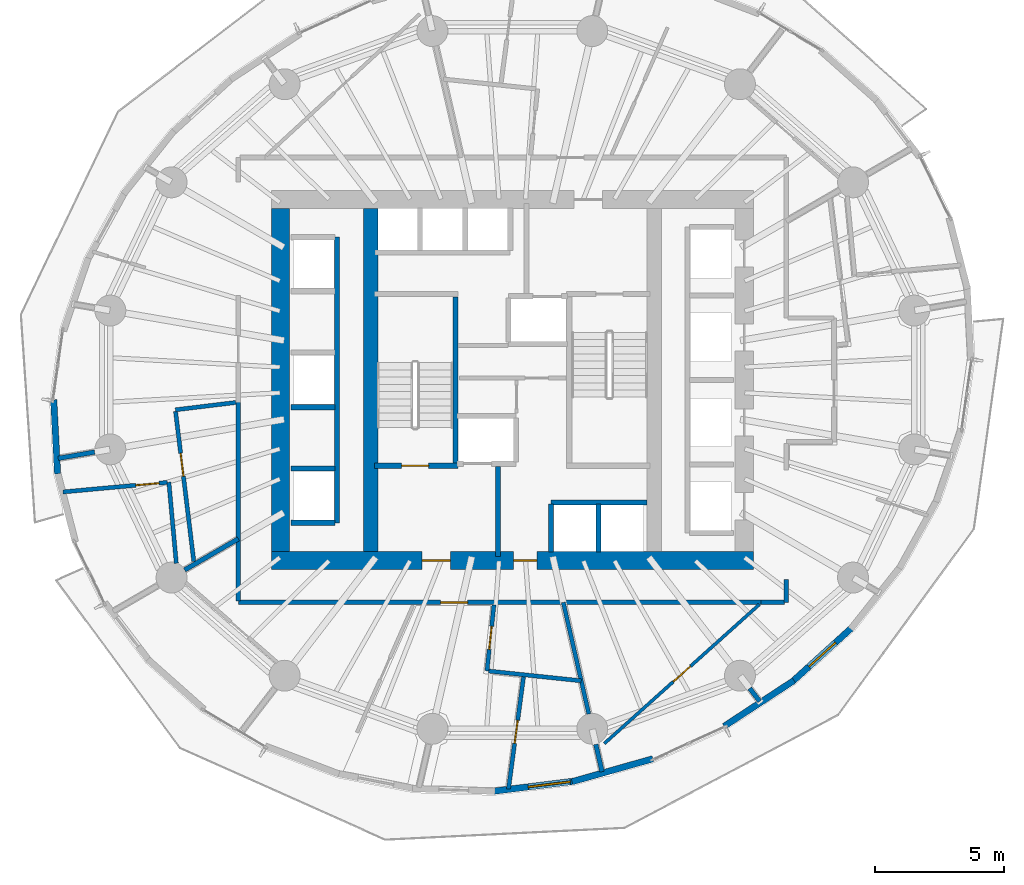
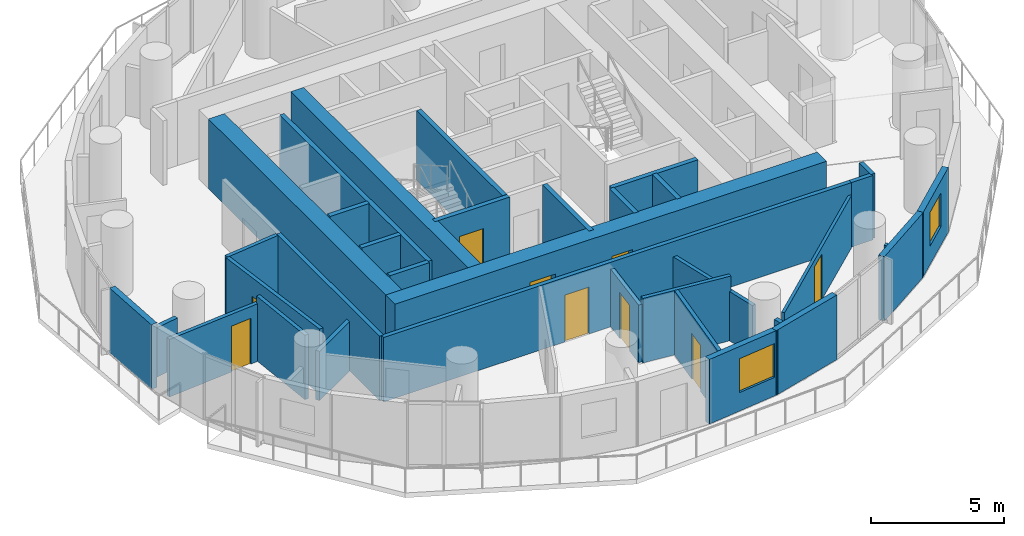
# One storey, part 7 of 14: 35 walls, 9 doors, 2 windows, 11 openings.
"""IFC4 building model written with IfcOpenShell, lengths in metres."""

from ifc_helpers import new_model, si_unit, direction, frame, frame_2d, origin, place, context, subcontext, project, spatial, rectangle, extrude, material, layer, layer_set, type_object, element, fill, save


model = new_model("IFC4")

# Units and contexts
model_context = context("Model", 3, precision=1e-05, world=origin(), true_north=direction((0.0, 1.0)))
body_context = subcontext(model_context, "Body", "Model", "MODEL_VIEW")
ifc_project = project(units=[si_unit("LENGTHUNIT", "METRE"), si_unit("AREAUNIT", "SQUARE_METRE"), si_unit("VOLUMEUNIT", "CUBIC_METRE"), si_unit("PLANEANGLEUNIT", "RADIAN"), si_unit("MASSUNIT", "GRAM", prefix="KILO")], contexts=[model_context])

# Site, building, storey
site_placement = place(None, origin())
site = spatial("IfcSite", under=ifc_project, at=site_placement, CompositionType="ELEMENT")
building_placement = place(site_placement, origin())
building = spatial("IfcBuilding", under=site, at=building_placement, Name="Veldorim Arch Residences", CompositionType="ELEMENT")
storey_placement = place(building_placement, frame((0.0, 0.0, 86.8798828125)))
storey = spatial("IfcBuildingStorey", under=building, at=storey_placement, Name="L25", CompositionType="ELEMENT", Elevation=86.8798828125)

# Wall, opening, door
ifc_material_1 = material(Name="Acoustic Gypsum Board", Category="gypsum")
ifc_layer_1 = layer(ifc_material_1, 0.125, Name="Acoustic Stud Room Partition Wall 125")
ifc_layer_set_1 = layer_set([ifc_layer_1], Name="Acoustic Gypsum Board")
wall_type_1 = type_object("IfcWallType", Name="Acoustic Stud Room Partition Wall 125", PredefinedType="PARTITIONING", material=ifc_layer_set_1)
wall_1_placement = place(storey_placement, frame((35.5712890625, 9.89404296875, 0.0), z_axis=(0.0, 0.0, 1.0), x_axis=(0.744379363772, 0.667756963865, 0.0)))
wall_1 = element("IfcWall", 1, at=wall_1_placement, inside=storey, type_object=wall_type_1, Name="L25 interior wall WL-RES-L25-027", PredefinedType="PARTITIONING", context=body_context, shape_type="SweptSolid", body=[
    extrude(rectangle(XDim=8.080322265625, YDim=0.125, at=frame_2d((4.0400390625, 0.0))), origin(), (0.0, 0.0, 1.0), 2.40380859375),
])
opening_1_placement = place(wall_1_placement, frame((3.590087890625, 0.0, 0.0)))
opening_1 = element("IfcOpeningElement", 2, at=opening_1_placement, cuts=wall_1, Name="Opening DR-INT", PredefinedType="OPENING", context=body_context, shape_type="SweptSolid", body=[
    extrude(rectangle(XDim=0.89990234375, YDim=2.10009765625, at=frame_2d((0.449951171875, 1.050048828125))), frame((0.0, 0.072509765625, 0.0), z_axis=(0.0, -1.0, 0.0), x_axis=(1.0, 0.0, 0.0)), (0.0, 0.0, 1.0), 0.14501953125),
])
ifc_material_2 = material(Name="Engineered Timber", Category="wood")
door_type_1 = type_object("IfcDoorType", Name="Apartment Internal Room Timber Door 900x2100", OperationType="SINGLE_SWING_LEFT", PredefinedType="DOOR", material=ifc_material_2)
door_1_placement = place(opening_1_placement, origin())
door_1 = element("IfcDoor", 3, at=door_1_placement, inside=storey, type_object=door_type_1, Name="L25 interior door DR-RES-L25-009", OperationType="SINGLE_SWING_LEFT", OverallHeight=2.10009765625, OverallWidth=0.89990234375, PredefinedType="DOOR", context=body_context, shape_type="SweptSolid", body=[
    extrude(rectangle(XDim=0.89990234375, YDim=2.10009765625, at=frame_2d((0.449951171875, 1.050048828125))), frame((0.0, 0.02490234375, 0.0), z_axis=(0.0, -1.0, 0.0), x_axis=(1.0, 0.0, 0.0)), (0.0, 0.0, 1.0), 0.050048828125),
])
fill(opening_1, door_1)

# Walls
ifc_material_3 = material(Name="Lightweight Masonry Block & Gypsum", Category="masonry")
ifc_layer_2 = layer(ifc_material_3, 0.179931640625, Name="Compartment & Corridor Fire-Rated Party Wall 180")
ifc_layer_set_2 = layer_set([ifc_layer_2], Name="Lightweight Masonry Block & Gypsum")
wall_type_2 = type_object("IfcWallType", Name="Compartment & Corridor Fire-Rated Party Wall 180", PredefinedType="PARTITIONING", material=ifc_layer_set_2)
wall_2_placement = place(storey_placement, frame((15.79443359375, 21.202392578125, 0.0), z_axis=(0.0, 0.0, 1.0), x_axis=(-0.985402123708, -0.170242928172, 0.0)))
element("IfcWall", 4, at=wall_2_placement, inside=storey, type_object=wall_type_2, Name="L25 interior wall WL-PIER-L25-09", PredefinedType="PARTITIONING", context=body_context, shape_type="SweptSolid", body=[
    extrude(rectangle(XDim=1.435546875, YDim=0.179931640625, at=frame_2d((0.7177734375, 0.0))), origin(), (0.0, 0.0, 1.0), 2.2607421875),
])
wall_3_placement = place(storey_placement, frame((35.240478515625, 9.86083984375, 0.0), z_axis=(0.0, 0.0, 1.0), x_axis=(0.223287406217, -0.974752652843, 0.0)))
element("IfcWall", 5, at=wall_3_placement, inside=storey, type_object=wall_type_2, Name="L25 interior wall WL-PIER-L25-13", PredefinedType="PARTITIONING", context=body_context, shape_type="SweptSolid", body=[
    extrude(rectangle(XDim=1.089111328125, YDim=0.179931640625, at=frame_2d((0.54443359375, 0.0))), origin(), (0.0, 0.0, 1.0), 2.2607421875),
])
wall_4_placement = place(storey_placement, frame((41.2119140625, 12.034423828125, 0.0), z_axis=(0.0, 0.0, 1.0), x_axis=(0.609970610867, -0.792424036661, 0.0)))
element("IfcWall", 6, at=wall_4_placement, inside=storey, type_object=wall_type_2, Name="L25 interior wall WL-PIER-L25-14", PredefinedType="PARTITIONING", context=body_context, shape_type="SweptSolid", body=[
    extrude(rectangle(XDim=0.635498046875, YDim=0.179931640625, at=frame_2d((0.31787109375, 0.0))), origin(), (0.0, 0.0, 1.0), 2.2607421875),
])

# Wall, opening, door
wall_5_placement = place(storey_placement, frame((41.6953125, 15.3701171875, 0.0), z_axis=(0.0, 0.0, 1.0), x_axis=(-1.0, 0.0, 0.0)))
wall_5 = element("IfcWall", 7, at=wall_5_placement, inside=storey, type_object=wall_type_2, Name="L25 interior wall WL-RES-L25-001", PredefinedType="PARTITIONING", context=body_context, shape_type="SweptSolid", body=[
    extrude(rectangle(XDim=20.3251953125, YDim=0.179931640625, at=frame_2d((10.16259765625, 0.0))), origin(), (0.0, 0.0, 1.0), 2.955078125),
])
opening_2_placement = place(wall_5_placement, frame((11.423583984375, 0.0, 0.0)))
opening_2 = element("IfcOpeningElement", 8, at=opening_2_placement, cuts=wall_5, Name="Opening DR-FLT", PredefinedType="OPENING", context=body_context, shape_type="SweptSolid", body=[
    extrude(rectangle(XDim=1.050048828125, YDim=2.14990234375, at=frame_2d((0.52490234375, 1.074951171875))), frame((0.0, 0.099853515625, 0.0), z_axis=(0.0, -1.0, 0.0), x_axis=(1.0, 0.0, 0.0)), (0.0, 0.0, 1.0), 0.199951171875),
])
ifc_material_4 = material(Name="Fire-Rated Timber", Category="wood")
door_type_2 = type_object("IfcDoorType", Name="Apartment Entrance Solid-Core Fire Door 1050x2150", OperationType="SINGLE_SWING_LEFT", PredefinedType="DOOR", material=ifc_material_4)
door_2_placement = place(opening_2_placement, origin())
door_2 = element("IfcDoor", 9, at=door_2_placement, inside=storey, type_object=door_type_2, Name="L25 interior door DR-RES-L25-001", OperationType="SINGLE_SWING_LEFT", OverallHeight=2.14990234375, OverallWidth=1.050048828125, PredefinedType="DOOR", context=body_context, shape_type="SweptSolid", body=[
    extrude(rectangle(XDim=1.050048828125, YDim=2.14990234375, at=frame_2d((0.52490234375, 1.074951171875))), frame((0.0, 0.02490234375, 0.0), z_axis=(0.0, -1.0, 0.0), x_axis=(1.0, 0.0, 0.0)), (0.0, 0.0, 1.0), 0.050048828125),
])
fill(opening_2, door_2)

# Walls
wall_6_placement = place(storey_placement, frame((21.3701171875, 15.429931640625, 0.0), z_axis=(0.0, 0.0, 1.0), x_axis=(0.0, 1.0, 0.0)))
element("IfcWall", 10, at=wall_6_placement, inside=storey, type_object=wall_type_2, Name="L25 interior wall WL-RES-L25-002", PredefinedType="PARTITIONING", context=body_context, shape_type="SweptSolid", body=[
    extrude(rectangle(XDim=7.7265625, YDim=0.179931640625, at=frame_2d((3.86328125, 0.0))), origin(), (0.0, 0.0, 1.0), 2.955078125),
])
wall_7_placement = place(storey_placement, frame((42.6298828125, 16.253173828125, 0.0), z_axis=(0.0, 0.0, 1.0), x_axis=(0.0, -1.0, 0.0)))
element("IfcWall", 11, at=wall_7_placement, inside=storey, type_object=wall_type_2, Name="L25 interior wall WL-RES-L25-006", PredefinedType="PARTITIONING", context=body_context, shape_type="SweptSolid", body=[
    extrude(rectangle(XDim=0.883056640625, YDim=0.179931640625, at=frame_2d((0.44140625, 0.0))), origin(), (0.0, 0.0, 1.0), 2.955078125),
])
wall_8_placement = place(storey_placement, frame((42.570068359375, 15.3701171875, 0.0), z_axis=(0.0, 0.0, 1.0), x_axis=(-1.0, 0.0, 0.0)))
element("IfcWall", 12, at=wall_8_placement, inside=storey, type_object=wall_type_2, Name="L25 interior wall WL-RES-L25-007", PredefinedType="PARTITIONING", context=body_context, shape_type="SweptSolid", body=[
    extrude(rectangle(XDim=0.924560546875, YDim=0.179931640625, at=frame_2d((0.46240234375, 0.0))), origin(), (0.0, 0.0, 1.0), 2.955078125),
])
wall_9_placement = place(storey_placement, frame((19.28759765625, 16.627685546875, 0.0), z_axis=(0.0, 0.0, 1.0), x_axis=(0.86502326608, 0.501731750182, 0.0)))
element("IfcWall", 13, at=wall_9_placement, inside=storey, type_object=wall_type_2, Name="L25 interior wall WL-RES-L25-020", PredefinedType="PARTITIONING", context=body_context, shape_type="SweptSolid", body=[
    extrude(rectangle(XDim=2.4072265625, YDim=0.179931640625, at=frame_2d((1.20361328125, 0.0))), origin(), (0.0, 0.0, 1.0), 2.2607421875),
])
ifc_material_5 = material(Name="Concrete C50/60", Category="concrete")
ifc_layer_3 = layer(ifc_material_5, 0.199951171875, Name="Core Stair & Lift Shaft Enclosure Wall 200")
ifc_layer_set_3 = layer_set([ifc_layer_3], Name="Concrete C50/60")
wall_type_3 = type_object("IfcWallType", Name="Core Stair & Lift Shaft Enclosure Wall 200", PredefinedType="SHEAR", material=ifc_layer_set_3)
wall_10_placement = place(storey_placement, frame((29.7900390625, 20.780029296875, 0.0), z_axis=(0.0, 0.0, 1.0), x_axis=(0.0, 1.0, 0.0)))
element("IfcWall", 14, at=wall_10_placement, inside=storey, type_object=wall_type_3, Name="L25 shaft wall WL-SHF-L25-ST1-E", PredefinedType="SHEAR", context=body_context, shape_type="SweptSolid", body=[
    extrude(rectangle(XDim=6.43994140625, YDim=0.199951171875, at=frame_2d((3.219970703125, 0.0))), origin(), (0.0, 0.0, 1.0), 3.2001953125),
])

# Wall, opening, door
wall_11_placement = place(storey_placement, frame((26.64990234375, 20.669921875, 0.0), z_axis=(0.0, 0.0, 1.0), x_axis=(1.0, 0.0, 0.0)))
wall_11 = element("IfcWall", 15, at=wall_11_placement, inside=storey, type_object=wall_type_3, Name="L25 shaft wall WL-SHF-L25-ST1-S", PredefinedType="SHEAR", context=body_context, shape_type="SweptSolid", body=[
    extrude(rectangle(XDim=3.239990234375, YDim=0.199951171875, at=frame_2d((1.6201171875, 0.0))), origin(), (0.0, 0.0, 1.0), 3.2001953125),
])
opening_3_placement = place(wall_11_placement, frame((1.054931640625, 0.0, 0.0)))
opening_3 = element("IfcOpeningElement", 16, at=opening_3_placement, cuts=wall_11, Name="Opening DR-ST", PredefinedType="OPENING", context=body_context, shape_type="SweptSolid", body=[
    extrude(rectangle(XDim=1.050048828125, YDim=2.14990234375, at=frame_2d((0.52490234375, 1.074951171875))), frame((0.0, 0.10986328125, 0.0), z_axis=(0.0, -1.0, 0.0), x_axis=(1.0, 0.0, 0.0)), (0.0, 0.0, 1.0), 0.219970703125),
])
ifc_material_6 = material(Name="Fire-Rated Steel", Category="steel")
door_type_3 = type_object("IfcDoorType", Name="Exit Staircase Self-Closing Fire Door 1050x2150", OperationType="SINGLE_SWING_LEFT", PredefinedType="DOOR", material=ifc_material_6)
door_3_placement = place(opening_3_placement, origin())
door_3 = element("IfcDoor", 17, at=door_3_placement, inside=storey, type_object=door_type_3, Name="L25 interior door DR-L25-ST1", OperationType="SINGLE_SWING_LEFT", OverallHeight=2.14990234375, OverallWidth=1.050048828125, PredefinedType="DOOR", context=body_context, shape_type="SweptSolid", body=[
    extrude(rectangle(XDim=1.050048828125, YDim=2.14990234375, at=frame_2d((0.52490234375, 1.074951171875))), frame((0.0, 0.02490234375, 0.0), z_axis=(0.0, -1.0, 0.0), x_axis=(1.0, 0.0, 0.0)), (0.0, 0.0, 1.0), 0.050048828125),
])
fill(opening_3, door_3)

# Walls
wall_12_placement = place(storey_placement, frame((31.449951171875, 17.14990234375, 0.0), z_axis=(0.0, 0.0, 1.0), x_axis=(0.0, 1.0, 0.0)))
element("IfcWall", 18, at=wall_12_placement, inside=storey, type_object=wall_type_3, Name="L25 shaft wall WL-FFL1-L25-E", PredefinedType="SHEAR", context=body_context, shape_type="SweptSolid", body=[
    extrude(rectangle(XDim=3.5, YDim=0.199951171875, at=frame_2d((1.75, 0.0))), origin(), (0.0, 0.0, 1.0), 3.2001953125),
])
wall_13_placement = place(storey_placement, frame((25.199951171875, 18.4599609375, 0.0), z_axis=(0.0, 0.0, 1.0), x_axis=(0.0, 1.0, 0.0)))
element("IfcWall", 19, at=wall_13_placement, inside=storey, type_object=wall_type_3, Name="L25 shaft wall WL-B2-L25-E", PredefinedType="SHEAR", context=body_context, shape_type="SweptSolid", body=[
    extrude(rectangle(XDim=11.080078125, YDim=0.199951171875, at=frame_2d((5.5400390625, 0.0))), origin(), (0.0, 0.0, 1.0), 3.2001953125),
])
for number, where, z_axis, x_axis, name in (
    (20, (23.419921875, 18.4599609375, 0.0), (0.0, 0.0, 1.0), (1.0, 0.0, 0.0), "L25 shaft wall WL-B2-L25-S"),
    (21, (23.419921875, 20.56005859375, 0.0), (0.0, 0.0, 1.0), (1.0, 0.0, 0.0), "L25 shaft wall WL-B2-L25-D1A"),
    (22, (23.419921875, 22.93994140625, 0.0), (0.0, 0.0, 1.0), (1.0, 0.0, 0.0), "L25 shaft wall WL-B2-L25-D1B"),
):
    element("IfcWall", number, at=place(storey_placement, frame(where, z_axis=z_axis, x_axis=x_axis)), inside=storey, type_object=wall_type_3, Name=name, PredefinedType="SHEAR", context=body_context, shape_type="SweptSolid", body=[
        extrude(rectangle(XDim=1.7099609375, YDim=0.199951171875, at=frame_2d((0.85498046875, 0.0))), origin(), (0.0, 0.0, 1.0), 3.2001953125),
    ])
wall_14_placement = place(storey_placement, frame((33.5, 19.25, 0.0), z_axis=(0.0, 0.0, 1.0), x_axis=(1.0, 0.0, 0.0)))
element("IfcWall", 23, at=wall_14_placement, inside=storey, type_object=wall_type_3, Name="L25 shaft wall WL-OL-L25-N", PredefinedType="SHEAR", context=body_context, shape_type="SweptSolid", body=[
    extrude(rectangle(XDim=3.719970703125, YDim=0.199951171875, at=frame_2d((1.85986328125, 0.0))), origin(), (0.0, 0.0, 1.0), 3.2001953125),
])
for number, where, z_axis, x_axis, name in (
    (24, (33.5, 17.320068359375, 0.0), (0.0, 0.0, 1.0), (0.0, 1.0, 0.0), "L25 shaft wall WL-OL-L25-W"),
    (25, (35.35009765625, 17.320068359375, 0.0), (0.0, 0.0, 1.0), (0.0, 1.0, 0.0), "L25 shaft wall WL-OL-L25-D1"),
):
    element("IfcWall", number, at=place(storey_placement, frame(where, z_axis=z_axis, x_axis=x_axis)), inside=storey, type_object=wall_type_3, Name=name, PredefinedType="SHEAR", context=body_context, shape_type="SweptSolid", body=[
        extrude(rectangle(XDim=1.85986328125, YDim=0.199951171875, at=frame_2d((0.929931640625, 0.0))), origin(), (0.0, 0.0, 1.0), 3.2001953125),
    ])
ifc_material_7 = material(Name="Concrete C60/75", Category="concrete")
ifc_layer_4 = layer(ifc_material_7, 0.56005859375, Name="Internal Core Shear Web Wall 560")
ifc_layer_set_4 = layer_set([ifc_layer_4], Name="Concrete C60/75")
wall_type_4 = type_object("IfcWallType", Name="Internal Core Shear Web Wall 560", PredefinedType="SHEAR", material=ifc_layer_set_4)
wall_15_placement = place(storey_placement, frame((26.5, 17.35009765625, 0.0), z_axis=(0.0, 0.0, 1.0), x_axis=(0.0, 1.0, 0.0)))
element("IfcWall", 26, at=wall_15_placement, inside=storey, type_object=wall_type_4, Name="L25 core west internal shear web", PredefinedType="SHEAR", context=body_context, shape_type="SweptSolid", body=[
    extrude(rectangle(XDim=13.2998046875, YDim=0.56005859375, at=frame_2d((6.64990234375, 0.0))), origin(), (0.0, 0.0, 1.0), 3.2001953125),
])

# Wall, openings, doors
ifc_material_8 = material(Name="Concrete C60/75", Category="concrete")
ifc_layer_5 = layer(ifc_material_8, 0.699951171875, Name="Mid-Lower Central Core Shear Wall 700")
ifc_layer_set_5 = layer_set([ifc_layer_5], Name="Concrete C60/75")
wall_type_5 = type_object("IfcWallType", Name="Mid-Lower Central Core Shear Wall 700", PredefinedType="SHEAR", material=ifc_layer_set_5)
wall_16_placement = place(storey_placement, frame((22.64990234375, 17.0, 0.0), z_axis=(0.0, 0.0, 1.0), x_axis=(1.0, 0.0, 0.0)))
wall_16 = element("IfcWall", 27, at=wall_16_placement, inside=storey, type_object=wall_type_5, Name="L25 central core south shear wall", PredefinedType="SHEAR", context=body_context, shape_type="SweptSolid", body=[
    extrude(rectangle(XDim=18.7001953125, YDim=0.699951171875, at=frame_2d((9.35009765625, 0.0))), origin(), (0.0, 0.0, 1.0), 3.2001953125),
])
opening_4_placement = place(wall_16_placement, frame((5.85009765625, 0.0, 0.0)))
opening_4 = element("IfcOpeningElement", 28, at=opening_4_placement, cuts=wall_16, Name="Opening DR-FFL", PredefinedType="OPENING", context=body_context, shape_type="SweptSolid", body=[
    extrude(rectangle(XDim=1.10009765625, YDim=2.14990234375, at=frame_2d((0.550048828125, 1.074951171875))), frame((0.0, 0.35986328125, 0.0), z_axis=(0.0, -1.0, 0.0), x_axis=(1.0, 0.0, 0.0)), (0.0, 0.0, 1.0), 0.719970703125),
])
opening_5_placement = place(wall_16_placement, frame((9.39990234375, 0.0, 0.0)))
opening_5 = element("IfcOpeningElement", 29, at=opening_5_placement, cuts=wall_16, Name="Opening DR-SVC", PredefinedType="OPENING", context=body_context, shape_type="SweptSolid", body=[
    extrude(rectangle(XDim=0.89990234375, YDim=2.10009765625, at=frame_2d((0.449951171875, 1.050048828125))), frame((0.0, 0.35986328125, 0.0), z_axis=(0.0, -1.0, 0.0), x_axis=(1.0, 0.0, 0.0)), (0.0, 0.0, 1.0), 0.719970703125),
])
ifc_material_9 = material(Name="Fire-Rated Steel & Vision Glass", Category="steel")
door_type_4 = type_object("IfcDoorType", Name="Firefighting Lobby Smoke-Stop Fire Door 1100x2150", OperationType="SINGLE_SWING_LEFT", PredefinedType="DOOR", material=ifc_material_9)
door_4_placement = place(opening_4_placement, origin())
door_4 = element("IfcDoor", 30, at=door_4_placement, inside=storey, type_object=door_type_4, Name="L25 interior door DR-L25-FFL1", OperationType="SINGLE_SWING_RIGHT", OverallHeight=2.14990234375, OverallWidth=1.10009765625, PredefinedType="DOOR", context=body_context, shape_type="SweptSolid", body=[
    extrude(rectangle(XDim=1.10009765625, YDim=2.14990234375, at=frame_2d((0.550048828125, 1.074951171875))), frame((0.0, 0.02490234375, 0.0), z_axis=(0.0, -1.0, 0.0), x_axis=(1.0, 0.0, 0.0)), (0.0, 0.0, 1.0), 0.050048828125),
])
fill(opening_4, door_4)
ifc_material_10 = material(Name="Fire-Rated Steel", Category="steel")
door_type_5 = type_object("IfcDoorType", Name="Riser, Shelter & Plant Room Rated Steel Door 900x2100", OperationType="SINGLE_SWING_LEFT", PredefinedType="DOOR", material=ifc_material_10)
door_5_placement = place(opening_5_placement, origin())
door_5 = element("IfcDoor", 31, at=door_5_placement, inside=storey, type_object=door_type_5, Name="L25 interior door DR-L25-COR-ANC", OperationType="SINGLE_SWING_LEFT", OverallHeight=2.10009765625, OverallWidth=0.89990234375, PredefinedType="DOOR", context=body_context, shape_type="SweptSolid", body=[
    extrude(rectangle(XDim=0.89990234375, YDim=2.10009765625, at=frame_2d((0.449951171875, 1.050048828125))), frame((0.0, 0.02490234375, 0.0), z_axis=(0.0, -1.0, 0.0), x_axis=(1.0, 0.0, 0.0)), (0.0, 0.0, 1.0), 0.050048828125),
])
fill(opening_5, door_5)

# Walls
wall_17_placement = place(storey_placement, frame((23.0, 17.35009765625, 0.0), z_axis=(0.0, 0.0, 1.0), x_axis=(0.0, 1.0, 0.0)))
element("IfcWall", 32, at=wall_17_placement, inside=storey, type_object=wall_type_5, Name="L25 central core west shear wall", PredefinedType="SHEAR", context=body_context, shape_type="SweptSolid", body=[
    extrude(rectangle(XDim=13.2998046875, YDim=0.699951171875, at=frame_2d((6.64990234375, 0.0))), origin(), (0.0, 0.0, 1.0), 3.2001953125),
])
ifc_material_11 = material(Name="Precast concrete C40/50", Category="concrete")
ifc_layer_6 = layer(ifc_material_11, 0.25, Name="Tower Terracotta Spandrel & Pier Wall 250")
ifc_layer_set_6 = layer_set([ifc_layer_6], Name="Precast concrete C40/50")
wall_type_6 = type_object("IfcWallType", Name="Tower Terracotta Spandrel & Pier Wall 250", PredefinedType="SOLIDWALL", material=ifc_layer_set_6)
wall_18_placement = place(storey_placement, frame((14.356201171875, 20.35986328125, 0.0), z_axis=(0.0, 0.0, 1.0), x_axis=(-0.052411702269, 0.998625562193, 0.0)))
element("IfcWall", 33, at=wall_18_placement, inside=storey, type_object=wall_type_6, Name="L25 terracotta facade wall 17", PredefinedType="SOLIDWALL", context=body_context, shape_type="SweptSolid", body=[
    extrude(rectangle(XDim=2.8740234375, YDim=0.25, at=frame_2d((1.43701171875, 0.0))), origin(), (0.0, 0.0, 1.0), 2.960205078125),
])

# Wall, opening, window
wall_19_placement = place(storey_placement, frame((34.42529296875, 8.43359375, 0.0), z_axis=(0.0, 0.0, 1.0), x_axis=(-0.99241077266, -0.122966899235, 0.0)))
wall_19 = element("IfcWall", 34, at=wall_19_placement, inside=storey, type_object=wall_type_6, Name="L25 terracotta facade wall 26", PredefinedType="SOLIDWALL", context=body_context, shape_type="SweptSolid", body=[
    extrude(rectangle(XDim=3.236328125, YDim=0.25, at=frame_2d((1.6181640625, 0.0))), origin(), (0.0, 0.0, 1.0), 2.960205078125),
])
opening_6_placement = place(wall_19_placement, frame((0.175048828125, 0.0, 0.85009765625)))
opening_6 = element("IfcOpeningElement", 35, at=opening_6_placement, cuts=wall_19, Name="Opening WN-03", PredefinedType="OPENING", context=body_context, shape_type="SweptSolid", body=[
    extrude(rectangle(XDim=1.64990234375, YDim=1.550048828125, at=frame_2d((0.824951171875, 0.77490234375))), frame((0.0, 0.135009765625, 0.0), z_axis=(0.0, -1.0, 0.0), x_axis=(1.0, 0.0, 0.0)), (0.0, 0.0, 1.0), 0.27001953125),
])
ifc_material_12 = material(Name="Laminated Low-E Glass", Category="glass")
window_type_1 = type_object("IfcWindowType", Name="Residential Wide Window 1650x1550", PartitioningType="SINGLE_PANEL", PredefinedType="WINDOW", material=ifc_material_12)
window_1_placement = place(opening_6_placement, origin())
window_1 = element("IfcWindow", 36, at=window_1_placement, inside=storey, type_object=window_type_1, Name="L25 solar-control facade window 26", OverallHeight=1.550048828125, OverallWidth=1.64990234375, PartitioningType="SINGLE_PANEL", PredefinedType="WINDOW", context=body_context, shape_type="SweptSolid", body=[
    extrude(rectangle(XDim=1.64990234375, YDim=1.550048828125, at=frame_2d((0.824951171875, 0.77490234375))), frame((0.0, 0.030029296875, 0.0), z_axis=(0.0, -1.0, 0.0), x_axis=(1.0, 0.0, 0.0)), (0.0, 0.0, 1.0), 0.06005859375),
])
fill(opening_6, window_1)

# Walls
wall_20_placement = place(storey_placement, frame((37.45458984375, 9.300537109375, 0.0), z_axis=(0.0, 0.0, 1.0), x_axis=(-0.962134911526, -0.272573681825, 0.0)))
element("IfcWall", 37, at=wall_20_placement, inside=storey, type_object=wall_type_6, Name="L25 terracotta facade wall 27", PredefinedType="SOLIDWALL", context=body_context, shape_type="SweptSolid", body=[
    extrude(rectangle(XDim=3.259521484375, YDim=0.25, at=frame_2d((1.6298828125, 0.0))), origin(), (0.0, 0.0, 1.0), 2.960205078125),
])
wall_21_placement = place(storey_placement, frame((42.929443359375, 12.3369140625, 0.0), z_axis=(0.0, 0.0, 1.0), x_axis=(-0.836273856728, -0.548311988336, 0.0)))
element("IfcWall", 38, at=wall_21_placement, inside=storey, type_object=wall_type_6, Name="L25 terracotta facade wall 29", PredefinedType="SOLIDWALL", context=body_context, shape_type="SweptSolid", body=[
    extrude(rectangle(XDim=3.236083984375, YDim=0.25, at=frame_2d((1.6181640625, 0.0))), origin(), (0.0, 0.0, 1.0), 2.960205078125),
])

# Wall, opening, window
wall_22_placement = place(storey_placement, frame((45.207763671875, 14.414306640625, 0.0), z_axis=(0.0, 0.0, 1.0), x_axis=(-0.740832321657, -0.671690011232, 0.0)))
wall_22 = element("IfcWall", 39, at=wall_22_placement, inside=storey, type_object=wall_type_6, Name="L25 terracotta facade wall 30", PredefinedType="SOLIDWALL", context=body_context, shape_type="SweptSolid", body=[
    extrude(rectangle(XDim=3.19189453125, YDim=0.25, at=frame_2d((1.595947265625, 0.0))), origin(), (0.0, 0.0, 1.0), 2.960205078125),
])
opening_7_placement = place(wall_22_placement, frame((0.89599609375, 0.0, 0.85009765625)))
opening_7 = element("IfcOpeningElement", 40, at=opening_7_placement, cuts=wall_22, Name="Opening WN-02", PredefinedType="OPENING", context=body_context, shape_type="SweptSolid", body=[
    extrude(rectangle(XDim=1.39990234375, YDim=1.550048828125, at=frame_2d((0.699951171875, 0.77490234375))), frame((0.0, 0.135009765625, 0.0), z_axis=(0.0, -1.0, 0.0), x_axis=(1.0, 0.0, 0.0)), (0.0, 0.0, 1.0), 0.27001953125),
])
ifc_material_13 = material(Name="Laminated Low-E Glass", Category="glass")
window_type_2 = type_object("IfcWindowType", Name="Residential Casement Window 1400x1550", PartitioningType="SINGLE_PANEL", PredefinedType="WINDOW", material=ifc_material_13)
window_2_placement = place(opening_7_placement, origin())
window_2 = element("IfcWindow", 41, at=window_2_placement, inside=storey, type_object=window_type_2, Name="L25 solar-control facade window 30", OverallHeight=1.550048828125, OverallWidth=1.39990234375, PartitioningType="SINGLE_PANEL", PredefinedType="WINDOW", context=body_context, shape_type="SweptSolid", body=[
    extrude(rectangle(XDim=1.39990234375, YDim=1.550048828125, at=frame_2d((0.699951171875, 0.77490234375))), frame((0.0, 0.030029296875, 0.0), z_axis=(0.0, -1.0, 0.0), x_axis=(1.0, 0.0, 0.0)), (0.0, 0.0, 1.0), 0.06005859375),
])
fill(opening_7, window_2)

# Wall, opening, door
ifc_material_14 = material(Name="Moisture-Resistant Gypsum & Stud", Category="gypsum")
ifc_layer_7 = layer(ifc_material_14, 0.159912109375, Name="Wet-Area Moisture-Resistant Plumbing Wall 160")
ifc_layer_set_7 = layer_set([ifc_layer_7], Name="Moisture-Resistant Gypsum & Stud")
wall_type_7 = type_object("IfcWallType", Name="Wet-Area Moisture-Resistant Plumbing Wall 160", PredefinedType="PLUMBINGWALL", material=ifc_layer_set_7)
wall_23_placement = place(storey_placement, frame((32.447509765625, 12.562255859375, 0.0), z_axis=(0.0, 0.0, 1.0), x_axis=(-0.132986130607, -0.991117898671, 0.0)))
wall_23 = element("IfcWall", 42, at=wall_23_placement, inside=storey, type_object=wall_type_7, Name="L25 interior wall WL-RES-L25-014", PredefinedType="PLUMBINGWALL", context=body_context, shape_type="SweptSolid", body=[
    extrude(rectangle(XDim=4.47216796875, YDim=0.159912109375, at=frame_2d((2.236083984375, 0.0))), origin(), (0.0, 0.0, 1.0), 2.955078125),
])
opening_8_placement = place(wall_23_placement, frame((1.785888671875, 0.0, 0.0)))
opening_8 = element("IfcOpeningElement", 43, at=opening_8_placement, cuts=wall_23, Name="Opening DR-WC", PredefinedType="OPENING", context=body_context, shape_type="SweptSolid", body=[
    extrude(rectangle(XDim=0.89990234375, YDim=2.10009765625, at=frame_2d((0.449951171875, 1.050048828125))), frame((0.0, 0.08984375, 0.0), z_axis=(0.0, -1.0, 0.0), x_axis=(1.0, 0.0, 0.0)), (0.0, 0.0, 1.0), 0.179931640625),
])
ifc_material_15 = material(Name="Laminate Timber", Category="wood")
door_type_6 = type_object("IfcDoorType", Name="Bathroom & Accessible WC Moisture-Sealed Door 900x2100", OperationType="SINGLE_SWING_LEFT", PredefinedType="DOOR", material=ifc_material_15)
door_6_placement = place(opening_8_placement, origin())
door_6 = element("IfcDoor", 44, at=door_6_placement, inside=storey, type_object=door_type_6, Name="L25 interior door DR-RES-L25-002", OperationType="SINGLE_SWING_RIGHT", OverallHeight=2.10009765625, OverallWidth=0.89990234375, PredefinedType="DOOR", context=body_context, shape_type="SweptSolid", body=[
    extrude(rectangle(XDim=0.89990234375, YDim=2.10009765625, at=frame_2d((0.449951171875, 1.050048828125))), frame((0.0, 0.02490234375, 0.0), z_axis=(0.0, -1.0, 0.0), x_axis=(1.0, 0.0, 0.0)), (0.0, 0.0, 1.0), 0.050048828125),
])
fill(opening_8, door_6)

wall_24_placement = place(storey_placement, frame((31.287841796875, 15.2705078125, 0.0), z_axis=(0.0, 0.0, 1.0), x_axis=(-0.105094954285, -0.994462191631, 0.0)))
wall_24 = element("IfcWall", 45, at=wall_24_placement, inside=storey, type_object=wall_type_7, Name="L25 interior wall WL-RES-L25-016", PredefinedType="PLUMBINGWALL", context=body_context, shape_type="SweptSolid", body=[
    extrude(rectangle(XDim=2.571533203125, YDim=0.159912109375, at=frame_2d((1.28564453125, 0.0))), origin(), (0.0, 0.0, 1.0), 2.6416015625),
])
opening_9_placement = place(wall_24_placement, frame((0.835693359375, 0.0, 0.0)))
opening_9 = element("IfcOpeningElement", 46, at=opening_9_placement, cuts=wall_24, Name="Opening DR-INT", PredefinedType="OPENING", context=body_context, shape_type="SweptSolid", body=[
    extrude(rectangle(XDim=0.89990234375, YDim=2.10009765625, at=frame_2d((0.449951171875, 1.050048828125))), frame((0.0, 0.08984375, 0.0), z_axis=(0.0, -1.0, 0.0), x_axis=(1.0, 0.0, 0.0)), (0.0, 0.0, 1.0), 0.179931640625),
])
door_7_placement = place(opening_9_placement, origin())
door_7 = element("IfcDoor", 47, at=door_7_placement, inside=storey, type_object=door_type_1, Name="L25 interior door DR-RES-L25-005", OperationType="SINGLE_SWING_LEFT", OverallHeight=2.10009765625, OverallWidth=0.89990234375, PredefinedType="DOOR", context=body_context, shape_type="SweptSolid", body=[
    extrude(rectangle(XDim=0.89990234375, YDim=2.10009765625, at=frame_2d((0.449951171875, 1.050048828125))), frame((0.0, 0.02490234375, 0.0), z_axis=(0.0, -1.0, 0.0), x_axis=(1.0, 0.0, 0.0)), (0.0, 0.0, 1.0), 0.050048828125),
])
fill(opening_9, door_7)

# Walls
wall_25_placement = place(storey_placement, frame((31.077392578125, 12.706787109375, 0.0), z_axis=(0.0, 0.0, 1.0), x_axis=(0.994472124215, -0.105000924563, 0.0)))
element("IfcWall", 48, at=wall_25_placement, inside=storey, type_object=wall_type_7, Name="L25 interior wall WL-RES-L25-017", PredefinedType="PLUMBINGWALL", context=body_context, shape_type="SweptSolid", body=[
    extrude(rectangle(XDim=3.617919921875, YDim=0.159912109375, at=frame_2d((1.80908203125, 0.0))), origin(), (0.0, 0.0, 1.0), 2.955078125),
])
wall_26_placement = place(storey_placement, frame((33.97802734375, 15.3701171875, 0.0), z_axis=(0.0, 0.0, 1.0), x_axis=(0.223321757884, -0.974744783241, 0.0)))
element("IfcWall", 49, at=wall_26_placement, inside=storey, type_object=wall_type_7, Name="L25 interior wall WL-RES-L25-018", PredefinedType="PLUMBINGWALL", context=body_context, shape_type="SweptSolid", body=[
    extrude(rectangle(XDim=4.441650390625, YDim=0.159912109375, at=frame_2d((2.220703125, 0.0))), origin(), (0.0, 0.0, 1.0), 2.2607421875),
])
wall_27_placement = place(storey_placement, frame((18.963623046875, 16.886962890625, 0.0), z_axis=(0.0, 0.0, 1.0), x_axis=(-0.091023836021, 0.995848714051, 0.0)))
element("IfcWall", 50, at=wall_27_placement, inside=storey, type_object=wall_type_7, Name="L25 interior wall WL-RES-L25-034", PredefinedType="PLUMBINGWALL", context=body_context, shape_type="SweptSolid", body=[
    extrude(rectangle(XDim=3.156982421875, YDim=0.159912109375, at=frame_2d((1.57861328125, 0.0))), origin(), (0.0, 0.0, 1.0), 2.955078125),
])

# Wall, opening, door
wall_28_placement = place(storey_placement, frame((18.616455078125, 20.025390625, 0.0), z_axis=(0.0, 0.0, 1.0), x_axis=(-0.995848823867, -0.091022634561, 0.0)))
wall_28 = element("IfcWall", 51, at=wall_28_placement, inside=storey, type_object=wall_type_7, Name="L25 interior wall WL-RES-L25-035", PredefinedType="PLUMBINGWALL", context=body_context, shape_type="SweptSolid", body=[
    extrude(rectangle(XDim=4.06884765625, YDim=0.159912109375, at=frame_2d((2.034423828125, 0.0))), origin(), (0.0, 0.0, 1.0), 2.6416015625),
])
opening_10_placement = place(wall_28_placement, frame((0.324462890625, 0.0, 0.0)))
opening_10 = element("IfcOpeningElement", 52, at=opening_10_placement, cuts=wall_28, Name="Opening DR-WC", PredefinedType="OPENING", context=body_context, shape_type="SweptSolid", body=[
    extrude(rectangle(XDim=0.89990234375, YDim=2.10009765625, at=frame_2d((0.449951171875, 1.050048828125))), frame((0.0, 0.08984375, 0.0), z_axis=(0.0, -1.0, 0.0), x_axis=(1.0, 0.0, 0.0)), (0.0, 0.0, 1.0), 0.179931640625),
])
door_8_placement = place(opening_10_placement, origin())
door_8 = element("IfcDoor", 53, at=door_8_placement, inside=storey, type_object=door_type_6, Name="L25 interior door DR-RES-L25-017", OperationType="SINGLE_SWING_LEFT", OverallHeight=2.10009765625, OverallWidth=0.89990234375, PredefinedType="DOOR", context=body_context, shape_type="SweptSolid", body=[
    extrude(rectangle(XDim=0.89990234375, YDim=2.10009765625, at=frame_2d((0.449951171875, 1.050048828125))), frame((0.0, 0.02490234375, 0.0), z_axis=(0.0, -1.0, 0.0), x_axis=(1.0, 0.0, 0.0)), (0.0, 0.0, 1.0), 0.050048828125),
])
fill(opening_10, door_8)

# Wall
wall_29_placement = place(storey_placement, frame((21.270751953125, 23.12646484375, 0.0), z_axis=(0.0, 0.0, 1.0), x_axis=(-0.992687653986, -0.120711315224, 0.0)))
element("IfcWall", 54, at=wall_29_placement, inside=storey, type_object=wall_type_7, Name="L25 interior wall WL-RES-L25-037", PredefinedType="PLUMBINGWALL", context=body_context, shape_type="SweptSolid", body=[
    extrude(rectangle(XDim=2.3603515625, YDim=0.159912109375, at=frame_2d((1.18017578125, 0.0))), origin(), (0.0, 0.0, 1.0), 2.955078125),
])

# Wall, opening, door
wall_30_placement = place(storey_placement, frame((18.93505859375, 22.781982421875, 0.0), z_axis=(0.0, 0.0, 1.0), x_axis=(0.120703145243, -0.992688647426, 0.0)))
wall_30 = element("IfcWall", 55, at=wall_30_placement, inside=storey, type_object=wall_type_7, Name="L25 interior wall WL-RES-L25-038", PredefinedType="PLUMBINGWALL", context=body_context, shape_type="SweptSolid", body=[
    extrude(rectangle(XDim=5.86376953125, YDim=0.159912109375, at=frame_2d((2.931884765625, 0.0))), origin(), (0.0, 0.0, 1.0), 2.955078125),
])
opening_11_placement = place(wall_30_placement, frame((1.641845703125, 0.0, 0.0)))
opening_11 = element("IfcOpeningElement", 56, at=opening_11_placement, cuts=wall_30, Name="Opening DR-INT", PredefinedType="OPENING", context=body_context, shape_type="SweptSolid", body=[
    extrude(rectangle(XDim=0.89990234375, YDim=2.10009765625, at=frame_2d((0.449951171875, 1.050048828125))), frame((0.0, 0.08984375, 0.0), z_axis=(0.0, -1.0, 0.0), x_axis=(1.0, 0.0, 0.0)), (0.0, 0.0, 1.0), 0.179931640625),
])
door_9_placement = place(opening_11_placement, origin())
door_9 = element("IfcDoor", 57, at=door_9_placement, inside=storey, type_object=door_type_1, Name="L25 interior door DR-RES-L25-020", OperationType="SINGLE_SWING_RIGHT", OverallHeight=2.10009765625, OverallWidth=0.89990234375, PredefinedType="DOOR", context=body_context, shape_type="SweptSolid", body=[
    extrude(rectangle(XDim=0.89990234375, YDim=2.10009765625, at=frame_2d((0.449951171875, 1.050048828125))), frame((0.0, 0.02490234375, 0.0), z_axis=(0.0, -1.0, 0.0), x_axis=(1.0, 0.0, 0.0)), (0.0, 0.0, 1.0), 0.050048828125),
])
fill(opening_11, door_9)

save(model, "model.ifc")
